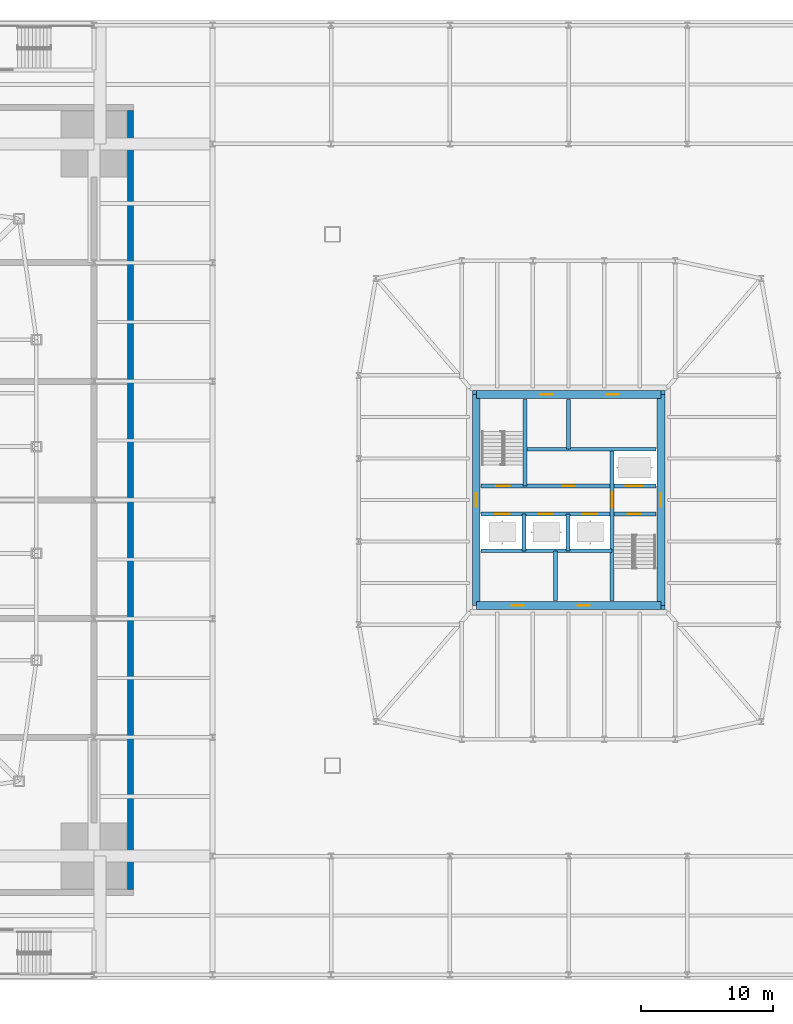
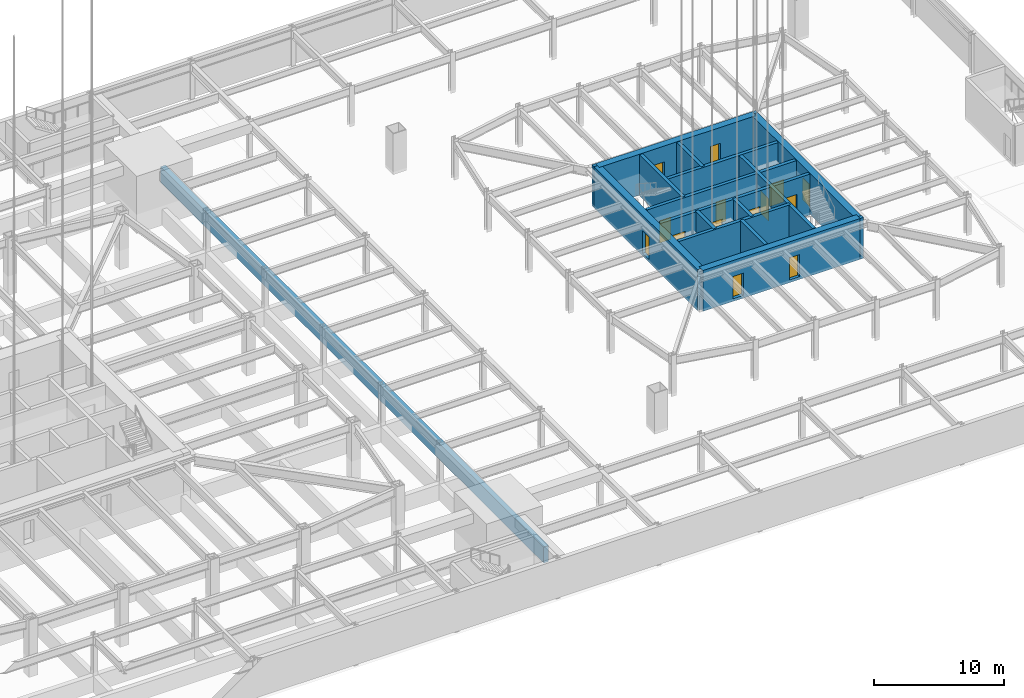
# One storey, part 15 of 35: 18 walls, 14 doors, 14 openings.
"""IFC4 building model written with IfcOpenShell, lengths in metres."""

from ifc_helpers import new_model, si_unit, direction, frame, frame_2d, origin, place, context, subcontext, project, spatial, rectangle, extrude, material, layer, layer_set, type_object, element, fill, save


model = new_model("IFC4")

# Units and contexts
model_context = context("Model", 3, precision=1e-05, world=origin(), true_north=direction((0.0, 1.0)))
body_context = subcontext(model_context, "Body", "Model", "MODEL_VIEW")
ifc_project = project(units=[si_unit("LENGTHUNIT", "METRE"), si_unit("AREAUNIT", "SQUARE_METRE"), si_unit("VOLUMEUNIT", "CUBIC_METRE"), si_unit("PLANEANGLEUNIT", "RADIAN"), si_unit("MASSUNIT", "GRAM", prefix="KILO")], contexts=[model_context])

# Site, building, storey
site_placement = place(None, origin())
site = spatial("IfcSite", under=ifc_project, at=site_placement, CompositionType="ELEMENT")
building_placement = place(site_placement, origin())
building = spatial("IfcBuilding", under=site, at=building_placement, Name="Iwan Alto Co-Living Towers", CompositionType="ELEMENT")
storey_placement = place(building_placement, frame((0.0, 0.0, -7.199951171875)))
storey = spatial("IfcBuildingStorey", under=building, at=storey_placement, Name="B2", CompositionType="ELEMENT", Elevation=-7.199951171875)

# Walls
ifc_material_1 = material(Name="Concrete f'c 35 MPa", Category="concrete")
ifc_layer_1 = layer(ifc_material_1, 0.449951171875)
ifc_layer_set_1 = layer_set([ifc_layer_1], Name="BOX CELL WALL 450")
wall_type_1 = type_object("IfcWallType", Name="BOX CELL WALL 450", PredefinedType="SOLIDWALL", material=ifc_layer_set_1)
wall_1_placement = place(storey_placement, frame((29.77490234375, -29.550048828125, -1.800048828125), z_axis=(0.0, 0.0, 1.0), x_axis=(0.0, 1.0, 0.0)))
element("IfcWall", 1, at=wall_1_placement, inside=storey, type_object=wall_type_1, Name="T1 box perimeter wall E", PredefinedType="SOLIDWALL", context=body_context, shape_type="SweptSolid", body=[
    extrude(rectangle(XDim=59.10009765625, YDim=0.449951171875, at=frame_2d((29.550048828125, 0.0))), origin(), (0.0, 0.0, 1.0), 1.5),
])
ifc_material_2 = material(Name="Concrete f'c 70 MPa", Category="concrete")
ifc_layer_2 = layer(ifc_material_2, 0.300048828125)
ifc_layer_set_2 = layer_set([ifc_layer_2], Name="SHAFT WALL 300")
wall_type_2 = type_object("IfcWallType", Name="SHAFT WALL 300", PredefinedType="SOLIDWALL", material=ifc_layer_set_2)
wall_2_placement = place(storey_placement, frame((56.360107421875, -3.85009765625, -0.25), z_axis=(0.0, 0.0, 1.0), x_axis=(1.0, 0.0, 0.0)))
element("IfcWall", 2, at=wall_2_placement, inside=storey, type_object=wall_type_2, Name="Shaft wall B2", PredefinedType="SOLIDWALL", context=body_context, shape_type="SweptSolid", body=[
    extrude(rectangle(XDim=9.93994140625, YDim=0.300048828125, at=frame_2d((4.969970703125, 0.0))), origin(), (0.0, 0.0, 1.0), 3.849853515625),
])

# Wall, openings, doors
wall_3_placement = place(storey_placement, frame((56.360107421875, -1.050048828125, -0.25), z_axis=(0.0, 0.0, 1.0), x_axis=(1.0, 0.0, 0.0)))
wall_3 = element("IfcWall", 3, at=wall_3_placement, inside=storey, type_object=wall_type_2, Name="Shaft wall B2", PredefinedType="SOLIDWALL", context=body_context, shape_type="SweptSolid", body=[
    extrude(rectangle(XDim=13.27978515625, YDim=0.300048828125, at=frame_2d((6.639892578125, 0.0))), origin(), (0.0, 0.0, 1.0), 3.849853515625),
])
opening_1_placement = place(wall_3_placement, frame((11.110107421875, 0.0, 0.25)))
opening_1 = element("IfcOpeningElement", 4, at=opening_1_placement, cuts=wall_3, Name="Opening D5", PredefinedType="OPENING", context=body_context, shape_type="SweptSolid", body=[
    extrude(rectangle(XDim=1.0, YDim=2.10009765625, at=frame_2d((0.5, 1.050048828125))), frame((0.0, 0.159912109375, 0.0), z_axis=(0.0, -1.0, 0.0), x_axis=(1.0, 0.0, 0.0)), (0.0, 0.0, 1.0), 0.320068359375),
])
opening_2_placement = place(wall_3_placement, frame((1.0869140625, 0.0, 0.25)))
opening_2 = element("IfcOpeningElement", 5, at=opening_2_placement, cuts=wall_3, Name="Opening LD", PredefinedType="OPENING", context=body_context, shape_type="SweptSolid", body=[
    extrude(rectangle(XDim=1.10009765625, YDim=2.10009765625, at=frame_2d((0.550048828125, 1.050048828125))), frame((0.0, 0.159912109375, 0.0), z_axis=(0.0, -1.0, 0.0), x_axis=(1.0, 0.0, 0.0)), (0.0, 0.0, 1.0), 0.320068359375),
])
opening_3_placement = place(wall_3_placement, frame((4.389892578125, 0.0, 0.25)))
opening_3 = element("IfcOpeningElement", 6, at=opening_3_placement, cuts=wall_3, Name="Opening LD", PredefinedType="OPENING", context=body_context, shape_type="SweptSolid", body=[
    extrude(rectangle(XDim=1.10009765625, YDim=2.10009765625, at=frame_2d((0.550048828125, 1.050048828125))), frame((0.0, 0.159912109375, 0.0), z_axis=(0.0, -1.0, 0.0), x_axis=(1.0, 0.0, 0.0)), (0.0, 0.0, 1.0), 0.320068359375),
])
opening_4_placement = place(wall_3_placement, frame((7.72412109375, 0.0, 0.25)))
opening_4 = element("IfcOpeningElement", 7, at=opening_4_placement, cuts=wall_3, Name="Opening LD", PredefinedType="OPENING", context=body_context, shape_type="SweptSolid", body=[
    extrude(rectangle(XDim=1.10009765625, YDim=2.10009765625, at=frame_2d((0.550048828125, 1.050048828125))), frame((0.0, 0.159912109375, 0.0), z_axis=(0.0, -1.0, 0.0), x_axis=(1.0, 0.0, 0.0)), (0.0, 0.0, 1.0), 0.320068359375),
])
ifc_material_3 = material(Name="Steel frame with timber leaf", Category="steel")
door_type_1 = type_object("IfcDoorType", Name="LIFT LANDING DOOR 1100X2100", OperationType="DOUBLE_DOOR_SLIDING", PredefinedType="DOOR", material=ifc_material_3)
door_1_placement = place(opening_2_placement, origin())
door_1 = element("IfcDoor", 8, at=door_1_placement, inside=storey, type_object=door_type_1, Name="Lift P5-1 landing door B2", OperationType="DOUBLE_DOOR_SLIDING", OverallHeight=2.10009765625, OverallWidth=1.10009765625, PredefinedType="DOOR", context=body_context, shape_type="SweptSolid", body=[
    extrude(rectangle(XDim=1.10009765625, YDim=2.10009765625, at=frame_2d((0.550048828125, 1.050048828125))), frame((0.0, 0.02490234375, 0.0), z_axis=(0.0, -1.0, 0.0), x_axis=(1.0, 0.0, 0.0)), (0.0, 0.0, 1.0), 0.050048828125),
])
fill(opening_2, door_1)
door_2_placement = place(opening_3_placement, origin())
door_2 = element("IfcDoor", 9, at=door_2_placement, inside=storey, type_object=door_type_1, Name="Lift P5-2 landing door B2", OperationType="DOUBLE_DOOR_SLIDING", OverallHeight=2.10009765625, OverallWidth=1.10009765625, PredefinedType="DOOR", context=body_context, shape_type="SweptSolid", body=[
    extrude(rectangle(XDim=1.10009765625, YDim=2.10009765625, at=frame_2d((0.550048828125, 1.050048828125))), frame((0.0, 0.02490234375, 0.0), z_axis=(0.0, -1.0, 0.0), x_axis=(1.0, 0.0, 0.0)), (0.0, 0.0, 1.0), 0.050048828125),
])
fill(opening_3, door_2)
door_3_placement = place(opening_4_placement, origin())
door_3 = element("IfcDoor", 10, at=door_3_placement, inside=storey, type_object=door_type_1, Name="Lift P6-3 landing door B2", OperationType="DOUBLE_DOOR_SLIDING", OverallHeight=2.10009765625, OverallWidth=1.10009765625, PredefinedType="DOOR", context=body_context, shape_type="SweptSolid", body=[
    extrude(rectangle(XDim=1.10009765625, YDim=2.10009765625, at=frame_2d((0.550048828125, 1.050048828125))), frame((0.0, 0.02490234375, 0.0), z_axis=(0.0, -1.0, 0.0), x_axis=(1.0, 0.0, 0.0)), (0.0, 0.0, 1.0), 0.050048828125),
])
fill(opening_4, door_3)
ifc_material_4 = material(Name="Steel frame with timber leaf", Category="steel")
door_type_2 = type_object("IfcDoorType", Name="STAIR DOOR FD120S 1000X2100", OperationType="SINGLE_SWING_LEFT", PredefinedType="DOOR", material=ifc_material_4)
door_4_placement = place(opening_1_placement, frame((1.0, 0.0, 0.0), z_axis=(0.0, 0.0, 1.0), x_axis=(-1.0, 0.0, 0.0)))
door_4 = element("IfcDoor", 11, at=door_4_placement, inside=storey, type_object=door_type_2, Name="Stair S2 door B2", OperationType="SINGLE_SWING_RIGHT", OverallHeight=2.10009765625, OverallWidth=1.0, PredefinedType="DOOR", context=body_context, shape_type="SweptSolid", body=[
    extrude(rectangle(XDim=1.0, YDim=2.10009765625, at=frame_2d((0.5, 1.050048828125))), frame((0.0, 0.02490234375, 0.0), z_axis=(0.0, -1.0, 0.0), x_axis=(1.0, 0.0, 0.0)), (0.0, 0.0, 1.0), 0.050048828125),
])
fill(opening_1, door_4)

wall_4_placement = place(storey_placement, frame((56.360107421875, 1.050048828125, -0.25), z_axis=(0.0, 0.0, 1.0), x_axis=(1.0, 0.0, 0.0)))
wall_4 = element("IfcWall", 12, at=wall_4_placement, inside=storey, type_object=wall_type_2, Name="Shaft wall B2", PredefinedType="SOLIDWALL", context=body_context, shape_type="SweptSolid", body=[
    extrude(rectangle(XDim=13.27978515625, YDim=0.300048828125, at=frame_2d((6.639892578125, 0.0))), origin(), (0.0, 0.0, 1.0), 3.849853515625),
])
opening_5_placement = place(wall_4_placement, frame((1.169921875, 0.0, 0.25)))
opening_5 = element("IfcOpeningElement", 13, at=opening_5_placement, cuts=wall_4, Name="Opening D5", PredefinedType="OPENING", context=body_context, shape_type="SweptSolid", body=[
    extrude(rectangle(XDim=1.0, YDim=2.10009765625, at=frame_2d((0.5, 1.050048828125))), frame((0.0, 0.159912109375, 0.0), z_axis=(0.0, -1.0, 0.0), x_axis=(1.0, 0.0, 0.0)), (0.0, 0.0, 1.0), 0.320068359375),
])
opening_6_placement = place(wall_4_placement, frame((6.18994140625, 0.0, 0.25)))
opening_6 = element("IfcOpeningElement", 14, at=opening_6_placement, cuts=wall_4, Name="Opening D8", PredefinedType="OPENING", context=body_context, shape_type="SweptSolid", body=[
    extrude(rectangle(XDim=0.89990234375, YDim=2.10009765625, at=frame_2d((0.449951171875, 1.050048828125))), frame((0.0, 0.159912109375, 0.0), z_axis=(0.0, -1.0, 0.0), x_axis=(1.0, 0.0, 0.0)), (0.0, 0.0, 1.0), 0.320068359375),
])
opening_7_placement = place(wall_4_placement, frame((10.9599609375, 0.0, 0.25)))
opening_7 = element("IfcOpeningElement", 15, at=opening_7_placement, cuts=wall_4, Name="Opening LD2", PredefinedType="OPENING", context=body_context, shape_type="SweptSolid", body=[
    extrude(rectangle(XDim=1.300048828125, YDim=2.10009765625, at=frame_2d((0.64990234375, 1.050048828125))), frame((0.0, 0.159912109375, 0.0), z_axis=(0.0, -1.0, 0.0), x_axis=(1.0, 0.0, 0.0)), (0.0, 0.0, 1.0), 0.320068359375),
])
ifc_material_5 = material(Name="Steel frame with timber leaf", Category="steel")
door_type_3 = type_object("IfcDoorType", Name="LIFT LANDING DOOR 1300X2100", OperationType="SLIDING_TO_LEFT", PredefinedType="DOOR", material=ifc_material_5)
door_5_placement = place(opening_7_placement, origin())
door_5 = element("IfcDoor", 16, at=door_5_placement, inside=storey, type_object=door_type_3, Name="Lift FL2 landing door B2", OperationType="SLIDING_TO_LEFT", OverallHeight=2.10009765625, OverallWidth=1.300048828125, PredefinedType="DOOR", context=body_context, shape_type="SweptSolid", body=[
    extrude(rectangle(XDim=1.300048828125, YDim=2.10009765625, at=frame_2d((0.64990234375, 1.050048828125))), frame((0.0, 0.02490234375, 0.0), z_axis=(0.0, -1.0, 0.0), x_axis=(1.0, 0.0, 0.0)), (0.0, 0.0, 1.0), 0.050048828125),
])
fill(opening_7, door_5)
ifc_material_6 = material(Name="Steel frame with timber leaf", Category="steel")
door_type_4 = type_object("IfcDoorType", Name="RISER DOOR FD120 900X2100", OperationType="SINGLE_SWING_LEFT", PredefinedType="DOOR", material=ifc_material_6)
door_6_placement = place(opening_6_placement, origin())
door_6 = element("IfcDoor", 17, at=door_6_placement, inside=storey, type_object=door_type_4, Name="Riser room door B2", OperationType="SINGLE_SWING_LEFT", OverallHeight=2.10009765625, OverallWidth=0.89990234375, PredefinedType="DOOR", context=body_context, shape_type="SweptSolid", body=[
    extrude(rectangle(XDim=0.89990234375, YDim=2.10009765625, at=frame_2d((0.449951171875, 1.050048828125))), frame((0.0, 0.02490234375, 0.0), z_axis=(0.0, -1.0, 0.0), x_axis=(1.0, 0.0, 0.0)), (0.0, 0.0, 1.0), 0.050048828125),
])
fill(opening_6, door_6)
door_7_placement = place(opening_5_placement, origin())
door_7 = element("IfcDoor", 18, at=door_7_placement, inside=storey, type_object=door_type_2, Name="Stair S1 door B2", OperationType="SINGLE_SWING_RIGHT", OverallHeight=2.10009765625, OverallWidth=1.0, PredefinedType="DOOR", context=body_context, shape_type="SweptSolid", body=[
    extrude(rectangle(XDim=1.0, YDim=2.10009765625, at=frame_2d((0.5, 1.050048828125))), frame((0.0, 0.02490234375, 0.0), z_axis=(0.0, -1.0, 0.0), x_axis=(1.0, 0.0, 0.0)), (0.0, 0.0, 1.0), 0.050048828125),
])
fill(opening_5, door_7)

# Wall
wall_5_placement = place(storey_placement, frame((59.699951171875, 3.85009765625, -0.25), z_axis=(0.0, 0.0, 1.0), x_axis=(1.0, 0.0, 0.0)))
element("IfcWall", 19, at=wall_5_placement, inside=storey, type_object=wall_type_2, Name="Shaft wall B2", PredefinedType="SOLIDWALL", context=body_context, shape_type="SweptSolid", body=[
    extrude(rectangle(XDim=9.93994140625, YDim=0.300048828125, at=frame_2d((4.969970703125, 0.0))), origin(), (0.0, 0.0, 1.0), 3.849853515625),
])

# Wall, opening, door
wall_6_placement = place(storey_placement, frame((66.300048828125, -7.639892578125, -0.25), z_axis=(0.0, 0.0, 1.0), x_axis=(0.0, 1.0, 0.0)))
wall_6 = element("IfcWall", 20, at=wall_6_placement, inside=storey, type_object=wall_type_2, Name="Shaft wall B2", PredefinedType="SOLIDWALL", context=body_context, shape_type="SweptSolid", body=[
    extrude(rectangle(XDim=11.489990234375, YDim=0.300048828125, at=frame_2d((5.7451171875, 0.0))), origin(), (0.0, 0.0, 1.0), 3.849853515625),
])
opening_8_placement = place(wall_6_placement, frame((7.0400390625, 0.0, 0.25)))
opening_8 = element("IfcOpeningElement", 21, at=opening_8_placement, cuts=wall_6, Name="Opening D6", PredefinedType="OPENING", context=body_context, shape_type="SweptSolid", body=[
    extrude(rectangle(XDim=1.199951171875, YDim=2.10009765625, at=frame_2d((0.60009765625, 1.050048828125))), frame((0.0, 0.159912109375, 0.0), z_axis=(0.0, -1.0, 0.0), x_axis=(1.0, 0.0, 0.0)), (0.0, 0.0, 1.0), 0.320068359375),
])
ifc_material_7 = material(Name="Steel frame with timber leaf", Category="steel")
door_type_5 = type_object("IfcDoorType", Name="LOBBY DOOR FD120S 1200X2100", OperationType="SINGLE_SWING_LEFT", PredefinedType="DOOR", material=ifc_material_7)
door_8_placement = place(opening_8_placement, frame((1.199951171875, 0.0, 0.0), z_axis=(0.0, 0.0, 1.0), x_axis=(-1.0, 0.0, 0.0)))
door_8 = element("IfcDoor", 22, at=door_8_placement, inside=storey, type_object=door_type_5, Name="Firefighting lobby door B2", OperationType="SINGLE_SWING_RIGHT", OverallHeight=2.10009765625, OverallWidth=1.199951171875, PredefinedType="DOOR", context=body_context, shape_type="SweptSolid", body=[
    extrude(rectangle(XDim=1.199951171875, YDim=2.10009765625, at=frame_2d((0.60009765625, 1.050048828125))), frame((0.0, 0.02490234375, 0.0), z_axis=(0.0, -1.0, 0.0), x_axis=(1.0, 0.0, 0.0)), (0.0, 0.0, 1.0), 0.050048828125),
])
fill(opening_8, door_8)

# Walls
wall_7_placement = place(storey_placement, frame((63.0, 3.85009765625, -0.25), z_axis=(0.0, 0.0, 1.0), x_axis=(0.0, 1.0, 0.0)))
element("IfcWall", 23, at=wall_7_placement, inside=storey, type_object=wall_type_2, Name="Shaft wall B2", PredefinedType="SOLIDWALL", context=body_context, shape_type="SweptSolid", body=[
    extrude(rectangle(XDim=3.789794921875, YDim=0.300048828125, at=frame_2d((1.89501953125, 0.0))), origin(), (0.0, 0.0, 1.0), 3.849853515625),
])
wall_8_placement = place(storey_placement, frame((62.967041015625, -3.85009765625, -0.25), z_axis=(0.0, 0.0, 1.0), x_axis=(0.0, 1.0, 0.0)))
element("IfcWall", 24, at=wall_8_placement, inside=storey, type_object=wall_type_2, Name="Shaft wall B2", PredefinedType="SOLIDWALL", context=body_context, shape_type="SweptSolid", body=[
    extrude(rectangle(XDim=2.800048828125, YDim=0.300048828125, at=frame_2d((1.39990234375, 0.0))), origin(), (0.0, 0.0, 1.0), 3.849853515625),
])
wall_9_placement = place(storey_placement, frame((62.0, -7.639892578125, -0.25), z_axis=(0.0, 0.0, 1.0), x_axis=(0.0, 1.0, 0.0)))
element("IfcWall", 25, at=wall_9_placement, inside=storey, type_object=wall_type_2, Name="Shaft wall B2", PredefinedType="SOLIDWALL", context=body_context, shape_type="SweptSolid", body=[
    extrude(rectangle(XDim=3.789794921875, YDim=0.300048828125, at=frame_2d((1.89501953125, 0.0))), origin(), (0.0, 0.0, 1.0), 3.849853515625),
])
wall_10_placement = place(storey_placement, frame((59.699951171875, 1.050048828125, -0.25), z_axis=(0.0, 0.0, 1.0), x_axis=(0.0, 1.0, 0.0)))
element("IfcWall", 26, at=wall_10_placement, inside=storey, type_object=wall_type_2, Name="Shaft wall B2", PredefinedType="SOLIDWALL", context=body_context, shape_type="SweptSolid", body=[
    extrude(rectangle(XDim=6.58984375, YDim=0.300048828125, at=frame_2d((3.294921875, 0.0))), origin(), (0.0, 0.0, 1.0), 3.849853515625),
])
wall_11_placement = place(storey_placement, frame((59.633056640625, -3.85009765625, -0.25), z_axis=(0.0, 0.0, 1.0), x_axis=(0.0, 1.0, 0.0)))
element("IfcWall", 27, at=wall_11_placement, inside=storey, type_object=wall_type_2, Name="Shaft wall B2", PredefinedType="SOLIDWALL", context=body_context, shape_type="SweptSolid", body=[
    extrude(rectangle(XDim=2.800048828125, YDim=0.300048828125, at=frame_2d((1.39990234375, 0.0))), origin(), (0.0, 0.0, 1.0), 3.849853515625),
])
ifc_material_8 = material(Name="Concrete f'c 70 MPa", Category="concrete")
ifc_layer_3 = layer(ifc_material_8, 0.300048828125)
ifc_layer_set_3 = layer_set([ifc_layer_3], Name="T2 CORE CORNER FILL 300")
wall_type_3 = type_object("IfcWallType", Name="T2 CORE CORNER FILL 300", PredefinedType="SOLIDWALL", material=ifc_layer_set_3)
for number, where, z_axis, x_axis, name in (
    (28, (70.0, -8.14990234375, -0.25), (0.0, 0.0, 1.0), (1.0, 0.0, 0.0), "T2 core corner SE B2"),
    (29, (70.0, 8.14990234375, -0.25), (0.0, 0.0, 1.0), (1.0, 0.0, 0.0), "T2 core corner NE B2"),
    (30, (55.699951171875, 8.14990234375, -0.25), (0.0, 0.0, 1.0), (1.0, 0.0, 0.0), "T2 core corner NW B2"),
):
    element("IfcWall", number, at=place(storey_placement, frame(where, z_axis=z_axis, x_axis=x_axis)), inside=storey, type_object=wall_type_3, Name=name, PredefinedType="SOLIDWALL", context=body_context, shape_type="SweptSolid", body=[
        extrude(rectangle(XDim=0.300048828125, YDim=0.300048828125, at=frame_2d((0.14990234375, 0.0))), origin(), (0.0, 0.0, 1.0), 3.849853515625),
    ])

# Wall, openings, doors
ifc_material_9 = material(Name="Concrete f'c 70 MPa", Category="concrete")
ifc_layer_4 = layer(ifc_material_9, 0.60009765625)
ifc_layer_set_4 = layer_set([ifc_layer_4], Name="T2 CORE WALL 600")
wall_type_4 = type_object("IfcWallType", Name="T2 CORE WALL 600", PredefinedType="SHEAR", material=ifc_layer_set_4)
wall_12_placement = place(storey_placement, frame((56.0, -8.0, -0.25), z_axis=(0.0, 0.0, 1.0), x_axis=(1.0, 0.0, 0.0)))
wall_12 = element("IfcWall", 31, at=wall_12_placement, inside=storey, type_object=wall_type_4, Name="T2 core wall S B2", PredefinedType="SHEAR", context=body_context, shape_type="SweptSolid", body=[
    extrude(rectangle(XDim=14.0, YDim=0.60009765625, at=frame_2d((7.0, 0.0))), origin(), (0.0, 0.0, 1.0), 3.849853515625),
])
opening_9_placement = place(wall_12_placement, frame((2.699951171875, 0.0, 0.25)))
opening_9 = element("IfcOpeningElement", 32, at=opening_9_placement, cuts=wall_12, Name="Opening D8", PredefinedType="OPENING", context=body_context, shape_type="SweptSolid", body=[
    extrude(rectangle(XDim=0.89990234375, YDim=2.10009765625, at=frame_2d((0.449951171875, 1.050048828125))), frame((0.0, 0.31005859375, 0.0), z_axis=(0.0, -1.0, 0.0), x_axis=(1.0, 0.0, 0.0)), (0.0, 0.0, 1.0), 0.6201171875),
])
opening_10_placement = place(wall_12_placement, frame((7.699951171875, 0.0, 0.25)))
opening_10 = element("IfcOpeningElement", 33, at=opening_10_placement, cuts=wall_12, Name="Opening D8", PredefinedType="OPENING", context=body_context, shape_type="SweptSolid", body=[
    extrude(rectangle(XDim=0.89990234375, YDim=2.10009765625, at=frame_2d((0.449951171875, 1.050048828125))), frame((0.0, 0.31005859375, 0.0), z_axis=(0.0, -1.0, 0.0), x_axis=(1.0, 0.0, 0.0)), (0.0, 0.0, 1.0), 0.6201171875),
])
door_9_placement = place(opening_9_placement, origin())
door_9 = element("IfcDoor", 34, at=door_9_placement, inside=storey, type_object=door_type_4, Name="Refuse room core door B2", OperationType="SINGLE_SWING_LEFT", OverallHeight=2.10009765625, OverallWidth=0.89990234375, PredefinedType="DOOR", context=body_context, shape_type="SweptSolid", body=[
    extrude(rectangle(XDim=0.89990234375, YDim=2.10009765625, at=frame_2d((0.449951171875, 1.050048828125))), frame((0.0, 0.02490234375, 0.0), z_axis=(0.0, -1.0, 0.0), x_axis=(1.0, 0.0, 0.0)), (0.0, 0.0, 1.0), 0.050048828125),
])
fill(opening_9, door_9)
door_10_placement = place(opening_10_placement, origin())
door_10 = element("IfcDoor", 35, at=door_10_placement, inside=storey, type_object=door_type_4, Name="Telecom riser core door B2", OperationType="SINGLE_SWING_LEFT", OverallHeight=2.10009765625, OverallWidth=0.89990234375, PredefinedType="DOOR", context=body_context, shape_type="SweptSolid", body=[
    extrude(rectangle(XDim=0.89990234375, YDim=2.10009765625, at=frame_2d((0.449951171875, 1.050048828125))), frame((0.0, 0.02490234375, 0.0), z_axis=(0.0, -1.0, 0.0), x_axis=(1.0, 0.0, 0.0)), (0.0, 0.0, 1.0), 0.050048828125),
])
fill(opening_10, door_10)

wall_13_placement = place(storey_placement, frame((70.0, 8.0, -0.25), z_axis=(0.0, 0.0, 1.0), x_axis=(-1.0, 0.0, 0.0)))
wall_13 = element("IfcWall", 36, at=wall_13_placement, inside=storey, type_object=wall_type_4, Name="T2 core wall N B2", PredefinedType="SHEAR", context=body_context, shape_type="SweptSolid", body=[
    extrude(rectangle(XDim=14.0, YDim=0.60009765625, at=frame_2d((7.0, 0.0))), origin(), (0.0, 0.0, 1.0), 3.849853515625),
])
opening_11_placement = place(wall_13_placement, frame((8.199951171875, 0.0, 0.25)))
opening_11 = element("IfcOpeningElement", 37, at=opening_11_placement, cuts=wall_13, Name="Opening D8", PredefinedType="OPENING", context=body_context, shape_type="SweptSolid", body=[
    extrude(rectangle(XDim=0.89990234375, YDim=2.10009765625, at=frame_2d((0.449951171875, 1.050048828125))), frame((0.0, 0.31005859375, 0.0), z_axis=(0.0, -1.0, 0.0), x_axis=(1.0, 0.0, 0.0)), (0.0, 0.0, 1.0), 0.6201171875),
])
opening_12_placement = place(wall_13_placement, frame((3.199951171875, 0.0, 0.25)))
opening_12 = element("IfcOpeningElement", 38, at=opening_12_placement, cuts=wall_13, Name="Opening D8", PredefinedType="OPENING", context=body_context, shape_type="SweptSolid", body=[
    extrude(rectangle(XDim=0.89990234375, YDim=2.10009765625, at=frame_2d((0.449951171875, 1.050048828125))), frame((0.0, 0.31005859375, 0.0), z_axis=(0.0, -1.0, 0.0), x_axis=(1.0, 0.0, 0.0)), (0.0, 0.0, 1.0), 0.6201171875),
])
door_11_placement = place(opening_11_placement, origin())
door_11 = element("IfcDoor", 39, at=door_11_placement, inside=storey, type_object=door_type_4, Name="Electrical riser core door B2", OperationType="SINGLE_SWING_RIGHT", OverallHeight=2.10009765625, OverallWidth=0.89990234375, PredefinedType="DOOR", context=body_context, shape_type="SweptSolid", body=[
    extrude(rectangle(XDim=0.89990234375, YDim=2.10009765625, at=frame_2d((0.449951171875, 1.050048828125))), frame((0.0, 0.02490234375, 0.0), z_axis=(0.0, -1.0, 0.0), x_axis=(1.0, 0.0, 0.0)), (0.0, 0.0, 1.0), 0.050048828125),
])
fill(opening_11, door_11)
door_12_placement = place(opening_12_placement, origin())
door_12 = element("IfcDoor", 40, at=door_12_placement, inside=storey, type_object=door_type_4, Name="Water and drainage riser core door B2", OperationType="SINGLE_SWING_RIGHT", OverallHeight=2.10009765625, OverallWidth=0.89990234375, PredefinedType="DOOR", context=body_context, shape_type="SweptSolid", body=[
    extrude(rectangle(XDim=0.89990234375, YDim=2.10009765625, at=frame_2d((0.449951171875, 1.050048828125))), frame((0.0, 0.02490234375, 0.0), z_axis=(0.0, -1.0, 0.0), x_axis=(1.0, 0.0, 0.0)), (0.0, 0.0, 1.0), 0.050048828125),
])
fill(opening_12, door_12)

# Wall, opening, door
wall_14_placement = place(storey_placement, frame((70.0, -8.0, -0.25), z_axis=(0.0, 0.0, 1.0), x_axis=(0.0, 1.0, 0.0)))
wall_14 = element("IfcWall", 41, at=wall_14_placement, inside=storey, type_object=wall_type_4, Name="T2 core wall E B2", PredefinedType="SHEAR", context=body_context, shape_type="SweptSolid", body=[
    extrude(rectangle(XDim=16.0, YDim=0.60009765625, at=frame_2d((8.0, 0.0))), origin(), (0.0, 0.0, 1.0), 3.849853515625),
])
opening_13_placement = place(wall_14_placement, frame((7.5, 0.0, 0.25)))
opening_13 = element("IfcOpeningElement", 42, at=opening_13_placement, cuts=wall_14, Name="Opening D7", PredefinedType="OPENING", context=body_context, shape_type="SweptSolid", body=[
    extrude(rectangle(XDim=1.0, YDim=2.10009765625, at=frame_2d((0.5, 1.050048828125))), frame((0.0, 0.31005859375, 0.0), z_axis=(0.0, -1.0, 0.0), x_axis=(1.0, 0.0, 0.0)), (0.0, 0.0, 1.0), 0.6201171875),
])
ifc_material_10 = material(Name="Steel frame with timber leaf", Category="steel")
door_type_6 = type_object("IfcDoorType", Name="CORE DOOR FD120S 1000X2100", OperationType="SINGLE_SWING_LEFT", PredefinedType="DOOR", material=ifc_material_10)
door_13_placement = place(opening_13_placement, origin())
door_13 = element("IfcDoor", 43, at=door_13_placement, inside=storey, type_object=door_type_6, Name="Firefighting lobby core door B2", OperationType="SINGLE_SWING_LEFT", OverallHeight=2.10009765625, OverallWidth=1.0, PredefinedType="DOOR", context=body_context, shape_type="SweptSolid", body=[
    extrude(rectangle(XDim=1.0, YDim=2.10009765625, at=frame_2d((0.5, 1.050048828125))), frame((0.0, 0.02490234375, 0.0), z_axis=(0.0, -1.0, 0.0), x_axis=(1.0, 0.0, 0.0)), (0.0, 0.0, 1.0), 0.050048828125),
])
fill(opening_13, door_13)

wall_15_placement = place(storey_placement, frame((56.0, 8.0, -0.25), z_axis=(0.0, 0.0, 1.0), x_axis=(0.0, -1.0, 0.0)))
wall_15 = element("IfcWall", 44, at=wall_15_placement, inside=storey, type_object=wall_type_4, Name="T2 core wall W B2", PredefinedType="SHEAR", context=body_context, shape_type="SweptSolid", body=[
    extrude(rectangle(XDim=16.0, YDim=0.60009765625, at=frame_2d((8.0, 0.0))), origin(), (0.0, 0.0, 1.0), 3.849853515625),
])
opening_14_placement = place(wall_15_placement, frame((7.5, 0.0, 0.25)))
opening_14 = element("IfcOpeningElement", 45, at=opening_14_placement, cuts=wall_15, Name="Opening D7", PredefinedType="OPENING", context=body_context, shape_type="SweptSolid", body=[
    extrude(rectangle(XDim=1.0, YDim=2.10009765625, at=frame_2d((0.5, 1.050048828125))), frame((0.0, 0.31005859375, 0.0), z_axis=(0.0, -1.0, 0.0), x_axis=(1.0, 0.0, 0.0)), (0.0, 0.0, 1.0), 0.6201171875),
])
door_14_placement = place(opening_14_placement, origin())
door_14 = element("IfcDoor", 46, at=door_14_placement, inside=storey, type_object=door_type_6, Name="Lift lobby core door B2", OperationType="SINGLE_SWING_RIGHT", OverallHeight=2.10009765625, OverallWidth=1.0, PredefinedType="DOOR", context=body_context, shape_type="SweptSolid", body=[
    extrude(rectangle(XDim=1.0, YDim=2.10009765625, at=frame_2d((0.5, 1.050048828125))), frame((0.0, 0.02490234375, 0.0), z_axis=(0.0, -1.0, 0.0), x_axis=(1.0, 0.0, 0.0)), (0.0, 0.0, 1.0), 0.050048828125),
])
fill(opening_14, door_14)

save(model, "model.ifc")
